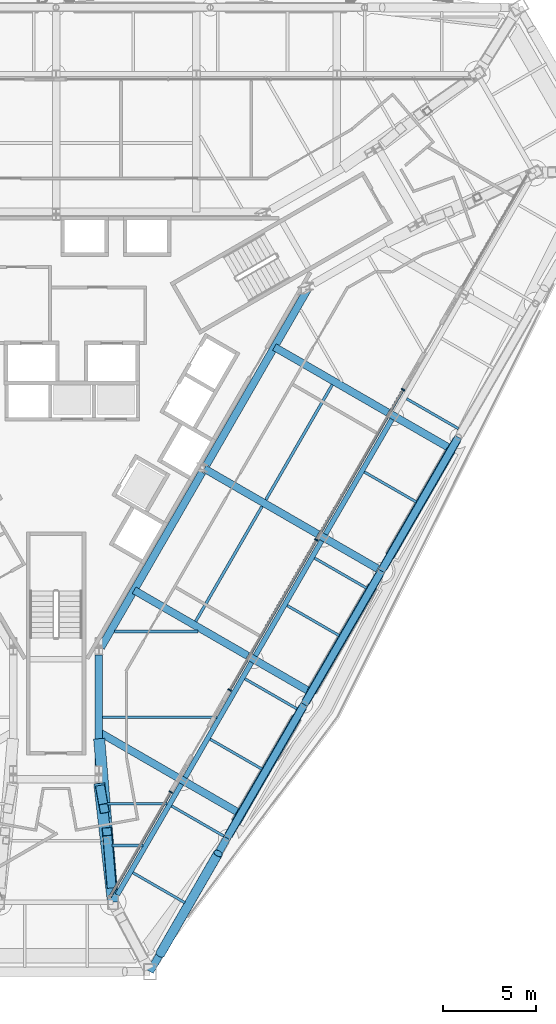
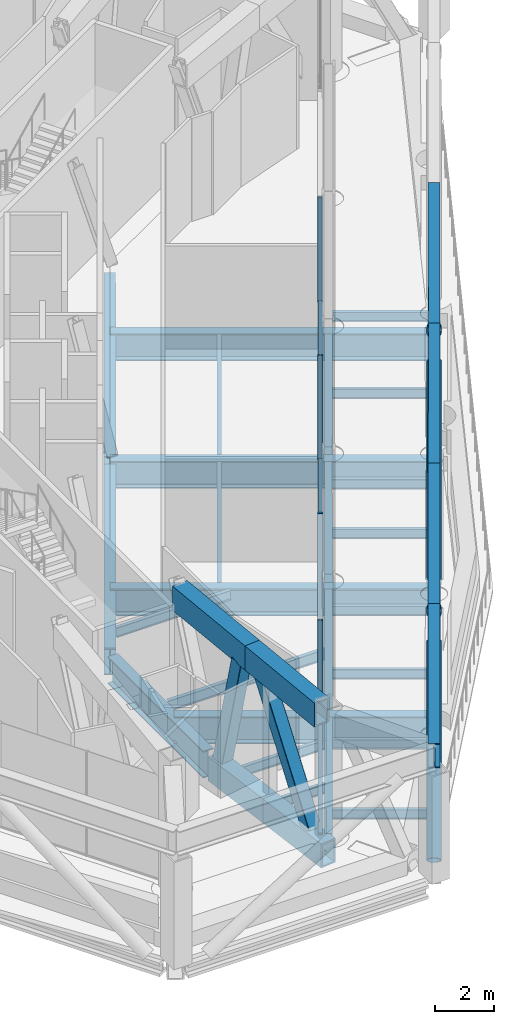
# One storey, part 8 of 25: 36 beams, 13 members, 2 elements without a shape of their own.
"""IFC4 building model written with IfcOpenShell, lengths in metres."""

import ifcopenshell
import ifcopenshell.guid

model = None  # the IFC model being written
_history = None  # IfcOwnerHistory: only IFC2X3 demands one
_inside = {}  # id of a spatial element -> (the spatial element, [elements in it])
_under = {}  # id of a project, library or spatial element -> (it, [spatial elements below it])
_declared = {}  # id of a project -> (the project, [libraries it declares])
_typed = {}  # id of a type object -> (the type object, [elements of that type])
_made_of = {}  # id of a material, layer set ... -> (it, [elements and type objects made of it])


def new_model(schema):
    """Start an empty IFC model of exactly this schema.

    Asked for "IFC4X3", IfcOpenShell would pick the latest addendum, in which some entities
    have other attributes; the version numbers below select the first issue.
    IFC2X3 requires an IfcOwnerHistory on every rooted entity: one is made here for all.
    """
    global model, _history
    if schema == "IFC4X3":
        model = ifcopenshell.file(schema_version=(4, 3, 0, 0))
    else:
        model = ifcopenshell.file(schema=schema)
    _inside.clear()
    _under.clear()
    _declared.clear()
    _typed.clear()
    _made_of.clear()
    _history = None
    if model.schema == "IFC2X3":
        org = make("IfcOrganization", Name="unknown")
        user = make(
            "IfcPersonAndOrganization",
            ThePerson=make("IfcPerson", FamilyName="unknown"),
            TheOrganization=org,
        )
        app = make(
            "IfcApplication",
            ApplicationDeveloper=org,
            Version="unknown",
            ApplicationFullName="unknown",
            ApplicationIdentifier="unknown",
        )
        _history = make(
            "IfcOwnerHistory",
            OwningUser=user,
            OwningApplication=app,
            ChangeAction="ADDED",
            CreationDate=0,
        )
    return model


def make(cls, **values):
    """One entity of the class cls with the attributes given. An attribute that is None is left unset."""
    return model.create_entity(
        cls, **{name: value for name, value in values.items() if value is not None}
    )


def rooted(cls, **values):
    """An entity with a GlobalId (a new one), such as an element, a storey or a relation."""
    return make(cls, GlobalId=ifcopenshell.guid.new(), OwnerHistory=_history, **values)


def si_unit(unit_type, name, prefix=None):
    """IfcSIUnit, for example si_unit("LENGTHUNIT", "METRE", prefix="MILLI")."""
    return make("IfcSIUnit", UnitType=unit_type, Prefix=prefix, Name=name)


def assignment(units):
    """IfcUnitAssignment: the units of a project."""
    return None if units is None else make("IfcUnitAssignment", Units=units)


def point(xyz):
    """IfcCartesianPoint."""
    return None if xyz is None else make("IfcCartesianPoint", Coordinates=xyz)


def direction(xyz):
    """IfcDirection."""
    return None if xyz is None else make("IfcDirection", DirectionRatios=xyz)


def frame(location, z_axis=None, x_axis=None):
    """IfcAxis2Placement3D, a coordinate frame: its origin and axes. An axis left out is left unset."""
    return make(
        "IfcAxis2Placement3D",
        Location=point(location),
        Axis=direction(z_axis),
        RefDirection=direction(x_axis),
    )


def frame_2d(location, x_axis=None):
    """IfcAxis2Placement2D, a coordinate frame in the plane: its origin and x axis."""
    return make(
        "IfcAxis2Placement2D", Location=point(location), RefDirection=direction(x_axis)
    )


def origin():
    """The frame at (0, 0, 0) with its axes left unset."""
    return frame((0.0, 0.0, 0.0))


def origin_2d():
    """The frame at (0, 0) in the plane with its x axis left unset."""
    return frame_2d((0.0, 0.0))


def place(relative_to, where):
    """IfcLocalPlacement: puts the frame where relative to a parent placement (None: the world)."""
    return make(
        "IfcLocalPlacement", PlacementRelTo=relative_to, RelativePlacement=where
    )


def context(
    kind, dimensions, precision=None, world=None, true_north=None, identifier=None
):
    """IfcGeometricRepresentationContext, for example the 3D "Model" context."""
    return make(
        "IfcGeometricRepresentationContext",
        ContextIdentifier=identifier,
        ContextType=kind,
        CoordinateSpaceDimension=dimensions,
        Precision=precision,
        WorldCoordinateSystem=world,
        TrueNorth=true_north,
    )


def subcontext(parent, identifier, kind, view, scale=None):
    """IfcGeometricRepresentationSubContext, for example "Body" below "Model"."""
    return make(
        "IfcGeometricRepresentationSubContext",
        ContextIdentifier=identifier,
        ContextType=kind,
        ParentContext=parent,
        TargetScale=scale,
        TargetView=view,
    )


def project(units=None, contexts=None):
    """IfcProject with its units and contexts."""
    return rooted(
        "IfcProject",
        Name="project",
        RepresentationContexts=contexts,
        UnitsInContext=assignment(units),
    )


def spatial(cls, under=None, at=None, **own):
    """A site, building, storey or space (cls), placed at a placement, below another one or the project."""
    s = rooted(cls, ObjectPlacement=at, **own)
    if under is not None:
        _under.setdefault(under.id(), (under, []))[1].append(s)
    return s


def profile(cls, at=None, kind="AREA", **sizes):
    """A parametric profile (cls). Its sizes go by their IFC names, for example OverallWidth=200.0."""
    return make(cls, ProfileType=kind, Position=at, **sizes)


def rectangle(**sizes):
    """IfcRectangleProfileDef."""
    return profile("IfcRectangleProfileDef", **sizes)


def hollow_rectangle(**sizes):
    """IfcRectangleHollowProfileDef."""
    return profile("IfcRectangleHollowProfileDef", **sizes)


def hollow_circle(**sizes):
    """IfcCircleHollowProfileDef."""
    return profile("IfcCircleHollowProfileDef", **sizes)


def i_section(**sizes):
    """IfcIShapeProfileDef."""
    return profile("IfcIShapeProfileDef", **sizes)


def extrude(swept, where, along, depth):
    """IfcExtrudedAreaSolid: the profile swept, set in the frame where, extruded along a direction by depth."""
    return make(
        "IfcExtrudedAreaSolid",
        SweptArea=swept,
        Position=where,
        ExtrudedDirection=direction(along),
        Depth=depth,
    )


def shape(context_of_items, identifier, shape_type, items):
    """IfcShapeRepresentation: the items that make up one representation, for example the "Body"."""
    return make(
        "IfcShapeRepresentation",
        ContextOfItems=context_of_items,
        RepresentationIdentifier=identifier,
        RepresentationType=shape_type,
        Items=items,
    )


def material(Name=None, Category=None):
    """IfcMaterial."""
    return make("IfcMaterial", Name=Name, Category=Category)


def material_profile(
    of_material, cross_section, Name=None, Category=None, Priority=None
):
    """IfcMaterialProfile: a cross section and its material."""
    return make(
        "IfcMaterialProfile",
        Name=Name,
        Material=of_material,
        Profile=cross_section,
        Priority=Priority,
        Category=Category,
    )


def profile_set(profiles, Name=None, composite=None):
    """IfcMaterialProfileSet."""
    return make(
        "IfcMaterialProfileSet",
        Name=Name,
        MaterialProfiles=profiles,
        CompositeProfile=composite,
    )


def made_of(thing, what):
    """Note that an element or type object is made of a material, layer set ...; save() writes the relation."""
    if what is not None:
        _made_of.setdefault(what.id(), (what, []))[1].append(thing)
    return thing


def type_object(cls, material=None, **own):
    """A type object (cls), such as IfcWallType, which elements share."""
    return made_of(rooted(cls, **own), material)


def element(
    cls,
    number,
    at=None,
    inside=None,
    cuts=None,
    type_object=None,
    material=None,
    context=None,
    identifier="Body",
    shape_type=None,
    held_by="IfcProductDefinitionShape",
    body=None,
    shapes=None,
    **own,
):
    """One element of the class cls, such as IfcWall. Its Tag is "e" and its number.

    at: its placement. inside: the storey or other place that contains it. cuts: it is an
    opening in that element (IfcRelVoidsElement). A single representation is given by context,
    identifier, shape_type and body (its items); several are given by shapes. held_by: the class
    of the entity that holds the representations. save() writes the other relations.
    """
    e = rooted(cls, Tag="e%d" % number, ObjectPlacement=at, **own)
    if body is not None:
        shapes = [shape(context, identifier, shape_type, body)]
    if shapes is not None:
        e.Representation = make(held_by, Representations=shapes)
    if inside is not None:
        _inside.setdefault(inside.id(), (inside, []))[1].append(e)
    if cuts is not None:
        rooted(
            "IfcRelVoidsElement", RelatingBuildingElement=cuts, RelatedOpeningElement=e
        )
    if type_object is not None:
        _typed.setdefault(type_object.id(), (type_object, []))[1].append(e)
    return made_of(e, material)


def aggregate(whole, parts):
    """IfcRelAggregates: a whole, such as a stair, and the parts it consists of."""
    return rooted("IfcRelAggregates", RelatingObject=whole, RelatedObjects=parts)


def save(model, path):
    """Write the relations noted so far, then the file.

    IfcRelAggregates (storeys below a building ...), IfcRelContainedInSpatialStructure (elements
    in a storey), IfcRelDefinesByType, IfcRelAssociatesMaterial and IfcRelDeclares: one each for
    every whole, place, type object, material and project.
    """
    for whole, parts in _under.values():
        aggregate(whole, parts)
    for where, things in _inside.values():
        rooted(
            "IfcRelContainedInSpatialStructure",
            RelatedElements=things,
            RelatingStructure=where,
        )
    for kind, things in _typed.values():
        rooted("IfcRelDefinesByType", RelatedObjects=things, RelatingType=kind)
    for what, things in _made_of.values():
        rooted("IfcRelAssociatesMaterial", RelatedObjects=things, RelatingMaterial=what)
    for by, libraries in _declared.values():
        rooted("IfcRelDeclares", RelatingContext=by, RelatedDefinitions=libraries)
    model.write(path)


model = new_model("IFC4")

# Units and contexts
model_context = context("Model", 3, precision=1e-05, world=origin(), true_north=direction((0.0, 1.0)))
body_context = subcontext(model_context, "Body", "Model", "MODEL_VIEW")
ifc_project = project(units=[si_unit("LENGTHUNIT", "METRE"), si_unit("AREAUNIT", "SQUARE_METRE"), si_unit("VOLUMEUNIT", "CUBIC_METRE"), si_unit("PLANEANGLEUNIT", "RADIAN"), si_unit("MASSUNIT", "GRAM", prefix="KILO")], contexts=[model_context])

# Site, building, storey
site_placement = place(None, origin())
site = spatial("IfcSite", under=ifc_project, at=site_placement, CompositionType="ELEMENT")
building_placement = place(site_placement, origin())
building = spatial("IfcBuilding", under=site, at=building_placement, Name="Verrane Prism Tower", CompositionType="ELEMENT")
storey_placement = place(building_placement, frame((0.0, 0.0, 143.199951171875)))
storey = spatial("IfcBuildingStorey", under=building, at=storey_placement, Name="L35", CompositionType="ELEMENT", Elevation=143.199951171875)

# Beams
ifc_material_1 = material(Name="Steel A992", Category="steel")
ifc_material_profile_1 = material_profile(ifc_material_1, i_section(OverallWidth=0.45458984375, OverallDepth=0.56884765625, WebThickness=0.077880859375, FlangeThickness=0.124755859375, FilletRadius=0.01513671875, at=origin_2d()), Name="W14x730")
ifc_profile_set_1 = profile_set([ifc_material_profile_1], Name="Steel A992")
beam_type_1 = type_object("IfcBeamType", Name="Belt truss chord W14x730", PredefinedType="BEAM", material=ifc_profile_set_1)
beam_1_placement = place(storey_placement, frame((9.271240234375, -24.3193359375, -0.445556640625), z_axis=(0.50043226125, 0.865775693757, 0.0), x_axis=(-0.865775693757, 0.50043226125, 0.0)))
element("IfcBeam", 1, at=beam_1_placement, inside=storey, type_object=beam_type_1, Name="Belt truss chord L35", PredefinedType="BEAM", context=body_context, shape_type="SweptSolid", body=[
    extrude(i_section(OverallWidth=0.45458984375, OverallDepth=0.56884765625, WebThickness=0.077880859375, FlangeThickness=0.124755859375, FilletRadius=0.01513671875, at=origin_2d()), origin(), (0.0, 0.0, 1.0), 7.96826171875),
])
beam_2_placement = place(storey_placement, frame((13.42138671875, -17.139404296875, -0.445556640625), z_axis=(0.50040929447, 0.865788968518, 0.0), x_axis=(-0.865788968518, 0.50040929447, 0.0)))
element("IfcBeam", 2, at=beam_2_placement, inside=storey, type_object=beam_type_1, Name="Belt truss chord L35", PredefinedType="BEAM", context=body_context, shape_type="SweptSolid", body=[
    extrude(i_section(OverallWidth=0.45458984375, OverallDepth=0.56884765625, WebThickness=0.077880859375, FlangeThickness=0.124755859375, FilletRadius=0.01513671875, at=origin_2d()), origin(), (0.0, 0.0, 1.0), 7.968017578125),
])
beam_3_placement = place(storey_placement, frame((17.571044921875, -9.958984375, -0.445556640625), z_axis=(0.49899581019, 0.866604397296, 0.0), x_axis=(-0.866604397296, 0.49899581019, 0.0)))
element("IfcBeam", 3, at=beam_3_placement, inside=storey, type_object=beam_type_1, Name="Belt truss chord L35", PredefinedType="BEAM", context=body_context, shape_type="SweptSolid", body=[
    extrude(i_section(OverallWidth=0.45458984375, OverallDepth=0.56884765625, WebThickness=0.077880859375, FlangeThickness=0.124755859375, FilletRadius=0.01513671875, at=origin_2d()), origin(), (0.0, 0.0, 1.0), 7.9716796875),
])
ifc_material_2 = material(Name="Steel A992", Category="steel")
ifc_material_profile_2 = material_profile(ifc_material_2, i_section(OverallWidth=0.4013671875, OverallDepth=1.000732421875, WebThickness=0.01904296875, FlangeThickness=0.0361328125, FilletRadius=0.030029296875, at=origin_2d()), Name="W40x249")
ifc_profile_set_2 = profile_set([ifc_material_profile_2], Name="Steel A992")
beam_type_2 = type_object("IfcBeamType", Name="Belt truss chord W40x249", PredefinedType="BEAM", material=ifc_profile_set_2)
beam_4_placement = place(storey_placement, frame((5.050048828125, -31.639892578125, 4.939697265625), z_axis=(0.499507376936, 0.866309633091, 0.0), x_axis=(-0.866309633091, 0.499507376936, 0.0)))
element("IfcBeam", 4, at=beam_4_placement, inside=storey, type_object=beam_type_2, Name="Belt truss chord L35", PredefinedType="BEAM", context=body_context, shape_type="SweptSolid", body=[
    extrude(i_section(OverallWidth=0.4013671875, OverallDepth=1.000732421875, WebThickness=0.01904296875, FlangeThickness=0.0361328125, FilletRadius=0.030029296875, at=origin_2d()), origin(), (0.0, 0.0, 1.0), 8.287841796875),
])
for number, where, z_axis, x_axis, name in (
    (5, (9.18994140625, -24.4599609375, 4.939697265625), (0.500435030405, 0.865774093135, 0.0), (-0.865774093135, 0.500435030405, 0.0), "Belt truss chord L35"),
    (6, (13.340087890625, -17.280029296875, 4.939697265625), (0.500412963415, 0.865786847928, 0.0), (-0.865786847928, 0.500412963415, 0.0), "Belt truss chord L35"),
):
    element("IfcBeam", number, at=place(storey_placement, frame(where, z_axis=z_axis, x_axis=x_axis)), inside=storey, type_object=beam_type_2, Name=name, PredefinedType="BEAM", context=body_context, shape_type="SweptSolid", body=[
        extrude(i_section(OverallWidth=0.4013671875, OverallDepth=1.000732421875, WebThickness=0.01904296875, FlangeThickness=0.0361328125, FilletRadius=0.030029296875, at=origin_2d()), origin(), (0.0, 0.0, 1.0), 8.29296875),
    ])
beam_5_placement = place(storey_placement, frame((17.489990234375, -10.10009765625, 4.939697265625), z_axis=(0.49897248112, 0.866617829891, 0.0), x_axis=(-0.866617829891, 0.49897248112, 0.0)))
element("IfcBeam", 7, at=beam_5_placement, inside=storey, type_object=beam_type_2, Name="Belt truss chord L35", PredefinedType="BEAM", context=body_context, shape_type="SweptSolid", body=[
    extrude(i_section(OverallWidth=0.4013671875, OverallDepth=1.000732421875, WebThickness=0.01904296875, FlangeThickness=0.0361328125, FilletRadius=0.030029296875, at=origin_2d()), origin(), (0.0, 0.0, 1.0), 8.296875),
])

# Members
ifc_material_3 = material(Name="Steel A500 Grade C", Category="steel")
ifc_material_profile_3 = material_profile(ifc_material_3, hollow_circle(Radius=0.25390625, WallThickness=0.0126953125, at=origin_2d()), Name="HSS20.000x0.500")
ifc_profile_set_3 = profile_set([ifc_material_profile_3], Name="Steel A500 Grade C")
member_type_1 = type_object("IfcMemberType", Name="Belt truss diagonal HSS20.000x0.500", PredefinedType="BRACE", material=ifc_profile_set_3)
member_1_placement = place(storey_placement, frame((5.599609375, -30.6865234375, -0.160888671875), z_axis=(0.398552898475, 0.69121040119, 0.602813211869), x_axis=(-0.866306176798, 0.499513371234, 0.0)))
element("IfcMember", 8, at=member_1_placement, inside=storey, type_object=member_type_1, Name="Belt truss diagonal L35", PredefinedType="BRACE", context=body_context, shape_type="SweptSolid", body=[
    extrude(hollow_circle(Radius=0.25390625, WallThickness=0.0126953125, at=origin_2d()), origin(), (0.0, 0.0, 1.0), 7.813232421875),
])
for number, where, z_axis, x_axis, name in (
    (9, (12.92529296875, -17.997314453125, -0.160888671875), (-0.404989270182, -0.700708769601, 0.587359269309), (0.865792640311, -0.500402941621, 0.0), "Belt truss diagonal L35"),
    (10, (13.754638671875, -16.562744140625, -0.160888671875), (0.404989270182, 0.700708769601, 0.587359269309), (-0.865792640311, 0.500402941621, 0.0), "Belt truss diagonal L35"),
):
    element("IfcMember", number, at=place(storey_placement, frame(where, z_axis=z_axis, x_axis=x_axis)), inside=storey, type_object=member_type_1, Name=name, PredefinedType="BRACE", context=body_context, shape_type="SweptSolid", body=[
        extrude(hollow_circle(Radius=0.25390625, WallThickness=0.0126953125, at=origin_2d()), origin(), (0.0, 0.0, 1.0), 8.018798828125),
    ])
member_2_placement = place(storey_placement, frame((21.216552734375, -3.628173828125, -0.160888671875), z_axis=(-0.403915120601, -0.701487129803, 0.587169806845), x_axis=(0.866607183047, -0.498990972154, 0.0)))
element("IfcMember", 11, at=member_2_placement, inside=storey, type_object=member_type_1, Name="Belt truss diagonal L35", PredefinedType="BRACE", context=body_context, shape_type="SweptSolid", body=[
    extrude(hollow_circle(Radius=0.25390625, WallThickness=0.0126953125, at=origin_2d()), origin(), (0.0, 0.0, 1.0), 8.021484375),
])

# Beams
ifc_material_4 = material(Name="Steel A992", Category="steel")
ifc_material_profile_4 = material_profile(ifc_material_4, i_section(OverallWidth=0.140380859375, OverallDepth=0.40380859375, WebThickness=0.007080078125, FlangeThickness=0.01123046875, FilletRadius=0.01025390625, at=origin_2d()), Name="W16x31")
ifc_profile_set_4 = profile_set([ifc_material_profile_4], Name="Steel A992")
beam_type_3 = type_object("IfcBeamType", Name="Floor beam W16x31", PredefinedType="BEAM", material=ifc_profile_set_4)
beam_6_placement = place(storey_placement, frame((21.631591796875, -2.452392578125, -0.36181640625), z_axis=(-0.866028773314, 0.499994163758, 0.0), x_axis=(-0.499994163758, -0.866028773314, 0.0)))
element("IfcBeam", 12, at=beam_6_placement, inside=storey, type_object=beam_type_3, Name="Floor beam L35", PredefinedType="BEAM", context=body_context, shape_type="SweptSolid", body=[
    extrude(i_section(OverallWidth=0.140380859375, OverallDepth=0.40380859375, WebThickness=0.007080078125, FlangeThickness=0.01123046875, FilletRadius=0.01025390625, at=origin_2d()), origin(), (0.0, 0.0, 1.0), 3.21484375),
])
beam_7_placement = place(storey_placement, frame((19.36279296875, -6.3916015625, -0.36181640625), z_axis=(-0.866034203951, 0.499984757355, 0.0), x_axis=(-0.499984757355, -0.866034203951, 0.0)))
element("IfcBeam", 13, at=beam_7_placement, inside=storey, type_object=beam_type_3, Name="Floor beam L35", PredefinedType="BEAM", context=body_context, shape_type="SweptSolid", body=[
    extrude(i_section(OverallWidth=0.140380859375, OverallDepth=0.40380859375, WebThickness=0.007080078125, FlangeThickness=0.01123046875, FilletRadius=0.01025390625, at=origin_2d()), origin(), (0.0, 0.0, 1.0), 3.22265625),
])
beam_8_placement = place(storey_placement, frame((16.693359375, -11.023681640625, -0.36181640625), z_axis=(-0.86602577794, 0.499999351944, 0.0), x_axis=(-0.499999351944, -0.86602577794, 0.0)))
element("IfcBeam", 14, at=beam_8_placement, inside=storey, type_object=beam_type_3, Name="Floor beam L35", PredefinedType="BEAM", context=body_context, shape_type="SweptSolid", body=[
    extrude(i_section(OverallWidth=0.140380859375, OverallDepth=0.40380859375, WebThickness=0.007080078125, FlangeThickness=0.01123046875, FilletRadius=0.01025390625, at=origin_2d()), origin(), (0.0, 0.0, 1.0), 3.23095703125),
])
beam_9_placement = place(storey_placement, frame((15.21923828125, -13.57421875, -0.36181640625), z_axis=(-0.866028129956, 0.499995278103, 0.0), x_axis=(-0.499995278103, -0.866028129956, 0.0)))
element("IfcBeam", 15, at=beam_9_placement, inside=storey, type_object=beam_type_3, Name="Floor beam L35", PredefinedType="BEAM", context=body_context, shape_type="SweptSolid", body=[
    extrude(i_section(OverallWidth=0.140380859375, OverallDepth=0.40380859375, WebThickness=0.007080078125, FlangeThickness=0.01123046875, FilletRadius=0.01025390625, at=origin_2d()), origin(), (0.0, 0.0, 1.0), 3.2275390625),
])
beam_10_placement = place(storey_placement, frame((12.9443359375, -17.510009765625, -0.36181640625), z_axis=(-0.866029130051, 0.499993545862, 0.0), x_axis=(-0.499993545862, -0.866029130051, 0.0)))
element("IfcBeam", 16, at=beam_10_placement, inside=storey, type_object=beam_type_3, Name="Floor beam L35", PredefinedType="BEAM", context=body_context, shape_type="SweptSolid", body=[
    extrude(i_section(OverallWidth=0.140380859375, OverallDepth=0.40380859375, WebThickness=0.007080078125, FlangeThickness=0.01123046875, FilletRadius=0.01025390625, at=origin_2d()), origin(), (0.0, 0.0, 1.0), 3.22216796875),
])
beam_11_placement = place(storey_placement, frame((11.069580078125, -20.75341796875, -0.36181640625), z_axis=(-0.865988473761, 0.500063959222, 0.0), x_axis=(-0.500063959222, -0.865988473761, 0.0)))
element("IfcBeam", 17, at=beam_11_placement, inside=storey, type_object=beam_type_3, Name="Floor beam L35", PredefinedType="BEAM", context=body_context, shape_type="SweptSolid", body=[
    extrude(i_section(OverallWidth=0.140380859375, OverallDepth=0.40380859375, WebThickness=0.007080078125, FlangeThickness=0.01123046875, FilletRadius=0.01025390625, at=origin_2d()), origin(), (0.0, 0.0, 1.0), 3.2177734375),
])
beam_12_placement = place(storey_placement, frame((9.018310546875, -24.356201171875, -0.36181640625), z_axis=(-0.866033884568, 0.499985310564, 0.0), x_axis=(-0.499985310564, -0.866033884568, 0.0)))
element("IfcBeam", 18, at=beam_12_placement, inside=storey, type_object=beam_type_3, Name="Floor beam L35", PredefinedType="BEAM", context=body_context, shape_type="SweptSolid", body=[
    extrude(i_section(OverallWidth=0.140380859375, OverallDepth=0.40380859375, WebThickness=0.007080078125, FlangeThickness=0.01123046875, FilletRadius=0.01025390625, at=origin_2d()), origin(), (0.0, 0.0, 1.0), 3.24267578125),
])
beam_13_placement = place(storey_placement, frame((6.924072265625, -27.9345703125, -0.36181640625), z_axis=(-0.866020340389, 0.500008769956, 0.0), x_axis=(-0.500008769956, -0.866020340389, 0.0)))
element("IfcBeam", 19, at=beam_13_placement, inside=storey, type_object=beam_type_3, Name="Floor beam L35", PredefinedType="BEAM", context=body_context, shape_type="SweptSolid", body=[
    extrude(i_section(OverallWidth=0.140380859375, OverallDepth=0.40380859375, WebThickness=0.007080078125, FlangeThickness=0.01123046875, FilletRadius=0.01025390625, at=origin_2d()), origin(), (0.0, 0.0, 1.0), 3.22314453125),
])
beam_14_placement = place(storey_placement, frame((3.01123046875, -24.860107421875, -0.36181640625), z_axis=(1.0, 0.0, 0.0), x_axis=(0.0, 1.0, 0.0)))
element("IfcBeam", 20, at=beam_14_placement, inside=storey, type_object=beam_type_3, Name="Floor beam L35", PredefinedType="BEAM", context=body_context, shape_type="SweptSolid", body=[
    extrude(i_section(OverallWidth=0.140380859375, OverallDepth=0.40380859375, WebThickness=0.007080078125, FlangeThickness=0.01123046875, FilletRadius=0.01025390625, at=origin_2d()), origin(), (0.0, 0.0, 1.0), 1.66015625),
])
beam_15_placement = place(storey_placement, frame((2.752685546875, -22.610107421875, -0.36181640625), z_axis=(1.0, 0.0, 0.0), x_axis=(0.0, 1.0, 0.0)))
element("IfcBeam", 21, at=beam_15_placement, inside=storey, type_object=beam_type_3, Name="Floor beam L35", PredefinedType="BEAM", context=body_context, shape_type="SweptSolid", body=[
    extrude(i_section(OverallWidth=0.140380859375, OverallDepth=0.40380859375, WebThickness=0.007080078125, FlangeThickness=0.01123046875, FilletRadius=0.01025390625, at=origin_2d()), origin(), (0.0, 0.0, 1.0), 3.220947265625),
])
beam_16_placement = place(storey_placement, frame((3.151123046875, -13.353271484375, -0.36181640625), z_axis=(1.0, 0.0, 0.0), x_axis=(0.0, 1.0, 0.0)))
element("IfcBeam", 22, at=beam_16_placement, inside=storey, type_object=beam_type_3, Name="Floor beam L35", PredefinedType="BEAM", context=body_context, shape_type="SweptSolid", body=[
    extrude(i_section(OverallWidth=0.140380859375, OverallDepth=0.40380859375, WebThickness=0.007080078125, FlangeThickness=0.01123046875, FilletRadius=0.01025390625, at=origin_2d()), origin(), (0.0, 0.0, 1.0), 4.4794921875),
])
ifc_material_5 = material(Name="Steel A992", Category="steel")
ifc_material_profile_5 = material_profile(ifc_material_5, i_section(OverallWidth=0.15234375, OverallDepth=0.449462890625, WebThickness=0.007568359375, FlangeThickness=0.0107421875, FilletRadius=0.01025390625, at=origin_2d()), Name="W18x35")
ifc_profile_set_5 = profile_set([ifc_material_profile_5], Name="Steel A992")
beam_type_4 = type_object("IfcBeamType", Name="Floor beam W18x35", PredefinedType="BEAM", material=ifc_profile_set_5)
beam_17_placement = place(storey_placement, frame((2.501953125, -17.966796875, -0.384765625), z_axis=(1.0, 0.0, 0.0), x_axis=(0.0, 1.0, 0.0)))
element("IfcBeam", 23, at=beam_17_placement, inside=storey, type_object=beam_type_4, Name="Floor beam L35", PredefinedType="BEAM", context=body_context, shape_type="SweptSolid", body=[
    extrude(i_section(OverallWidth=0.15234375, OverallDepth=0.449462890625, WebThickness=0.007568359375, FlangeThickness=0.0107421875, FilletRadius=0.01025390625, at=origin_2d()), origin(), (0.0, 0.0, 1.0), 6.151611328125),
])
beam_18_placement = place(storey_placement, frame((7.50390625, -12.813720703125, -0.384765625), z_axis=(0.499990639951, 0.866030807744, 0.0), x_axis=(-0.866030807744, 0.499990639951, 0.0)))
element("IfcBeam", 24, at=beam_18_placement, inside=storey, type_object=beam_type_4, Name="Floor beam L35", PredefinedType="BEAM", context=body_context, shape_type="SweptSolid", body=[
    extrude(i_section(OverallWidth=0.15234375, OverallDepth=0.449462890625, WebThickness=0.007568359375, FlangeThickness=0.0107421875, FilletRadius=0.01025390625, at=origin_2d()), origin(), (0.0, 0.0, 1.0), 7.144775390625),
])
beam_19_placement = place(storey_placement, frame((11.277587890625, -6.27587890625, -0.384765625), z_axis=(0.500002534683, 0.866023940379, 0.0), x_axis=(-0.866023940379, 0.500002534683, 0.0)))
element("IfcBeam", 25, at=beam_19_placement, inside=storey, type_object=beam_type_4, Name="Floor beam L35", PredefinedType="BEAM", context=body_context, shape_type="SweptSolid", body=[
    extrude(i_section(OverallWidth=0.15234375, OverallDepth=0.449462890625, WebThickness=0.007568359375, FlangeThickness=0.0107421875, FilletRadius=0.01025390625, at=origin_2d()), origin(), (0.0, 0.0, 1.0), 7.14306640625),
])

# Curtain wall, member
ifc_material_6 = material(Name="Aluminium framed insulated glazing", Category="aluminium")
curtain_wall_type = type_object("IfcCurtainWallType", Name="Curtain wall CW-A 8400 module", PredefinedType="NOTDEFINED", material=ifc_material_6)
curtain_wall_1_placement = place(storey_placement, origin())
curtain_wall_1 = element("IfcCurtainWall", 26, at=curtain_wall_1_placement, inside=storey, type_object=curtain_wall_type, Name="Refuge lounge glazing south-east face L35 1", PredefinedType="NOTDEFINED")
ifc_material_7 = material(Name="Aluminium alloy 6063-T6", Category="aluminium")
ifc_material_profile_6 = material_profile(ifc_material_7, rectangle(XDim=0.199951171875, YDim=0.070068359375, at=origin_2d()), Name="Mullion 70x200 aluminium")
ifc_profile_set_6 = profile_set([ifc_material_profile_6], Name="Aluminium alloy 6063-T6")
member_type_2 = type_object("IfcMemberType", Name="Mullion 70x200 aluminium", PredefinedType="MULLION", material=ifc_profile_set_6)
member_3_placement = place(storey_placement, frame((6.164794921875, -21.984130859375, 0.0), z_axis=(0.0, 0.0, 1.0), x_axis=(-0.866024286859, 0.500001934567, 0.0)))
member_3 = element("IfcMember", 27, at=member_3_placement, type_object=member_type_2, Name="CW35.6.1 mullion 2", PredefinedType="MULLION", context=body_context, shape_type="SweptSolid", body=[
    extrude(rectangle(XDim=0.199951171875, YDim=0.070068359375, at=origin_2d()), origin(), (0.0, 0.0, 1.0), 4.322509765625),
])

# Curtain wall, members
curtain_wall_2_placement = place(storey_placement, origin())
curtain_wall_2 = element("IfcCurtainWall", 28, at=curtain_wall_2_placement, inside=storey, type_object=curtain_wall_type, Name="Refuge lounge glazing south-east face L35 2", PredefinedType="NOTDEFINED")
member_4_placement = place(storey_placement, frame((9.329833984375, -16.502197265625, 0.0), z_axis=(0.0, 0.0, 1.0), x_axis=(-0.866024625663, 0.500001347743, 0.0)))
member_4 = element("IfcMember", 29, at=member_4_placement, type_object=member_type_2, Name="CW35.6.2 mullion 1", PredefinedType="MULLION", context=body_context, shape_type="SweptSolid", body=[
    extrude(rectangle(XDim=0.199951171875, YDim=0.070068359375, at=origin_2d()), origin(), (0.0, 0.0, 1.0), 4.322509765625),
])
member_5_placement = place(storey_placement, frame((13.9912109375, -8.428466796875, 0.0), z_axis=(0.0, 0.0, 1.0), x_axis=(-0.866024625663, 0.500001347743, 0.0)))
member_5 = element("IfcMember", 30, at=member_5_placement, type_object=member_type_2, Name="CW35.6.2 mullion 2", PredefinedType="MULLION", context=body_context, shape_type="SweptSolid", body=[
    extrude(rectangle(XDim=0.199951171875, YDim=0.070068359375, at=origin_2d()), origin(), (0.0, 0.0, 1.0), 4.322509765625),
])
member_6_placement = place(storey_placement, frame((18.652587890625, -0.3544921875, 0.0), z_axis=(0.0, 0.0, 1.0), x_axis=(-0.866024625663, 0.500001347743, 0.0)))
member_6 = element("IfcMember", 31, at=member_6_placement, type_object=member_type_2, Name="CW35.6.2 mullion 3", PredefinedType="MULLION", context=body_context, shape_type="SweptSolid", body=[
    extrude(rectangle(XDim=0.199951171875, YDim=0.070068359375, at=origin_2d()), origin(), (0.0, 0.0, 1.0), 4.322509765625),
])

# Beams
ifc_material_8 = material(Name="Steel A572 Grade 50", Category="steel")
ifc_material_profile_7 = material_profile(ifc_material_8, hollow_rectangle(XDim=0.60009765625, YDim=1.0, WallThickness=0.06005859375, at=origin_2d()), Name="BOX 1000x600x60")
ifc_profile_set_7 = profile_set([ifc_material_profile_7], Name="Steel A572 Grade 50")
beam_type_5 = type_object("IfcBeamType", Name="Outrigger truss chord BOX 1000x600x60", PredefinedType="BEAM", material=ifc_profile_set_7)
beam_20_placement = place(storey_placement, frame((3.06005859375, -27.909912109375, -0.659912109375), z_axis=(-0.11426476822, 0.993450332298, 0.0), x_axis=(-0.993450332298, -0.11426476822, 0.0)))
element("IfcBeam", 32, at=beam_20_placement, inside=storey, type_object=beam_type_5, Name="Outrigger truss chord L35", PredefinedType="BEAM", context=body_context, shape_type="SweptSolid", body=[
    extrude(hollow_rectangle(XDim=0.60009765625, YDim=1.0, WallThickness=0.06005859375, at=origin_2d()), origin(), (0.0, 0.0, 1.0), 3.32666015625),
])
beam_21_placement = place(storey_placement, frame((2.679931640625, -24.60498046875, -0.659912109375), z_axis=(-0.114206711719, 0.993457008128, 0.0), x_axis=(-0.993457008128, -0.114206711719, 0.0)))
element("IfcBeam", 33, at=beam_21_placement, inside=storey, type_object=beam_type_5, Name="Outrigger truss chord L35", PredefinedType="BEAM", context=body_context, shape_type="SweptSolid", body=[
    extrude(hollow_rectangle(XDim=0.60009765625, YDim=1.0, WallThickness=0.06005859375, at=origin_2d()), origin(), (0.0, 0.0, 1.0), 3.108154296875),
])
beam_22_placement = place(storey_placement, frame((3.0263671875, -27.510009765625, 4.93994140625), z_axis=(-0.084095012133, 0.996457740667, 0.0), x_axis=(-0.996457740667, -0.084095012133, 0.0)))
element("IfcBeam", 34, at=beam_22_placement, inside=storey, type_object=beam_type_5, Name="Outrigger truss chord L35", PredefinedType="BEAM", context=body_context, shape_type="SweptSolid", body=[
    extrude(hollow_rectangle(XDim=0.60009765625, YDim=1.0, WallThickness=0.06005859375, at=origin_2d()), origin(), (0.0, 0.0, 1.0), 4.11962890625),
])
beam_23_placement = place(storey_placement, frame((2.679931640625, -23.405029296875, 4.93994140625), z_axis=(-0.084026785736, 0.99646349621, 0.0), x_axis=(-0.99646349621, -0.084026785736, 0.0)))
element("IfcBeam", 35, at=beam_23_placement, inside=storey, type_object=beam_type_5, Name="Outrigger truss chord L35", PredefinedType="BEAM", context=body_context, shape_type="SweptSolid", body=[
    extrude(hollow_rectangle(XDim=0.60009765625, YDim=1.0, WallThickness=0.06005859375, at=origin_2d()), origin(), (0.0, 0.0, 1.0), 4.302978515625),
])

# Members
ifc_material_9 = material(Name="Steel A500 Grade C", Category="steel")
ifc_material_profile_8 = material_profile(ifc_material_9, hollow_rectangle(XDim=0.508056640625, YDim=0.508056640625, WallThickness=0.01904296875, InnerFilletRadius=0.009521484375, OuterFilletRadius=0.028564453125, at=origin_2d()), Name="HSS20x20x3/4")
ifc_profile_set_8 = profile_set([ifc_material_profile_8], Name="Steel A500 Grade C")
member_type_3 = type_object("IfcMemberType", Name="Outrigger truss diagonal HSS20x20x3/4", PredefinedType="BRACE", material=ifc_profile_set_8)
member_7_placement = place(storey_placement, frame((2.97705078125, -26.9267578125, -0.219970703125), z_axis=(-0.043117594969, 0.511016769216, 0.858488633928), x_axis=(-0.996459232764, -0.084077330119, 0.0)))
element("IfcMember", 36, at=member_7_placement, inside=storey, type_object=member_type_3, Name="Outrigger truss diagonal L35", PredefinedType="BRACE", context=body_context, shape_type="SweptSolid", body=[
    extrude(hollow_rectangle(XDim=0.508056640625, YDim=0.508056640625, WallThickness=0.01904296875, InnerFilletRadius=0.009521484375, OuterFilletRadius=0.028564453125, at=origin_2d()), origin(), (0.0, 0.0, 1.0), 5.498046875),
])
member_8_placement = place(storey_placement, frame((2.404052734375, -21.875732421875, -0.219970703125), z_axis=(0.037078020775, -0.205573091989, 0.97793912092), x_axis=(0.98412077701, 0.177500130302, 0.0)))
element("IfcMember", 37, at=member_8_placement, inside=storey, type_object=member_type_3, Name="Outrigger truss diagonal L35", PredefinedType="BRACE", context=body_context, shape_type="SweptSolid", body=[
    extrude(hollow_rectangle(XDim=0.508056640625, YDim=0.508056640625, WallThickness=0.01904296875, InnerFilletRadius=0.009521484375, OuterFilletRadius=0.028564453125, at=origin_2d()), origin(), (0.0, 0.0, 1.0), 4.826416015625),
])

# Beams
ifc_material_10 = material(Name="Steel A992", Category="steel")
ifc_material_profile_9 = material_profile(ifc_material_10, i_section(OverallWidth=0.2666015625, OverallDepth=0.7568359375, WebThickness=0.013916015625, FlangeThickness=0.019287109375, FilletRadius=0.0166015625, at=origin_2d()), Name="W30x108")
ifc_profile_set_9 = profile_set([ifc_material_profile_9], Name="Steel A992")
beam_type_6 = type_object("IfcBeamType", Name="Spandrel beam W30x108", PredefinedType="SPANDREL", material=ifc_profile_set_9)
beam_24_placement = place(storey_placement, frame((3.29150390625, -27.510009765625, -0.538330078125), z_axis=(0.500978894628, 0.865459500576, 0.0), x_axis=(-0.865459500576, 0.500978894628, 0.0)))
element("IfcBeam", 38, at=beam_24_placement, inside=storey, type_object=beam_type_6, Name="Spandrel beam L35", PredefinedType="SPANDREL", context=body_context, shape_type="SweptSolid", body=[
    extrude(i_section(OverallWidth=0.2666015625, OverallDepth=0.7568359375, WebThickness=0.013916015625, FlangeThickness=0.019287109375, FilletRadius=0.0166015625, at=origin_2d()), origin(), (0.0, 0.0, 1.0), 6.877197265625),
])
for number, where, z_axis, x_axis, name in (
    (39, (6.942626953125, -21.201904296875, -0.538330078125), (0.499432230493, 0.866352957601, 0.0), (-0.866352957601, 0.499432230493, 0.0), "Spandrel beam L35"),
    (40, (10.712646484375, -14.661865234375, -0.538330078125), (0.499432230493, 0.866352957601, 0.0), (-0.866352957601, 0.499432230493, 0.0), "Spandrel beam L35"),
):
    element("IfcBeam", number, at=place(storey_placement, frame(where, z_axis=z_axis, x_axis=x_axis)), inside=storey, type_object=beam_type_6, Name=name, PredefinedType="SPANDREL", context=body_context, shape_type="SweptSolid", body=[
        extrude(i_section(OverallWidth=0.2666015625, OverallDepth=0.7568359375, WebThickness=0.013916015625, FlangeThickness=0.019287109375, FilletRadius=0.0166015625, at=origin_2d()), origin(), (0.0, 0.0, 1.0), 7.137451171875),
    ])
beam_25_placement = place(storey_placement, frame((14.483154296875, -8.121826171875, -0.538330078125), z_axis=(0.500974211218, 0.865462211592, 0.0), x_axis=(-0.865462211592, 0.500974211218, 0.0)))
element("IfcBeam", 41, at=beam_25_placement, inside=storey, type_object=beam_type_6, Name="Spandrel beam L35", PredefinedType="SPANDREL", context=body_context, shape_type="SweptSolid", body=[
    extrude(i_section(OverallWidth=0.2666015625, OverallDepth=0.7568359375, WebThickness=0.013916015625, FlangeThickness=0.019287109375, FilletRadius=0.0166015625, at=origin_2d()), origin(), (0.0, 0.0, 1.0), 7.133544921875),
])
ifc_material_11 = material(Name="Steel A992", Category="steel")
ifc_material_profile_10 = material_profile(ifc_material_11, i_section(OverallWidth=0.40380859375, OverallDepth=1.11767578125, WebThickness=0.026123046875, FlangeThickness=0.044921875, FilletRadius=0.02001953125, at=origin_2d()), Name="W44x335")
ifc_profile_set_10 = profile_set([ifc_material_profile_10], Name="Steel A992")
beam_type_7 = type_object("IfcBeamType", Name="Transfer girder W44x335", PredefinedType="BEAM", material=ifc_profile_set_10)
beam_26_placement = place(storey_placement, frame((2.300048828125, -21.082763671875, -0.808837890625), z_axis=(0.0, 1.0, 0.0), x_axis=(-1.0, 0.0, 0.0)))
element("IfcBeam", 42, at=beam_26_placement, inside=storey, type_object=beam_type_7, Name="Transfer girder L35", PredefinedType="BEAM", context=body_context, shape_type="SweptSolid", body=[
    extrude(i_section(OverallWidth=0.40380859375, OverallDepth=1.11767578125, WebThickness=0.026123046875, FlangeThickness=0.044921875, FilletRadius=0.02001953125, at=origin_2d()), origin(), (0.0, 0.0, 1.0), 6.46337890625),
])
beam_27_placement = place(storey_placement, frame((2.4150390625, -14.220703125, -0.808837890625), z_axis=(0.500034555306, 0.86600545235, 0.0), x_axis=(-0.86600545235, 0.500034555306, 0.0)))
element("IfcBeam", 43, at=beam_27_placement, inside=storey, type_object=beam_type_7, Name="Transfer girder L35", PredefinedType="BEAM", context=body_context, shape_type="SweptSolid", body=[
    extrude(i_section(OverallWidth=0.40380859375, OverallDepth=1.11767578125, WebThickness=0.026123046875, FlangeThickness=0.044921875, FilletRadius=0.02001953125, at=origin_2d()), origin(), (0.0, 0.0, 1.0), 10.879150390625),
])
beam_28_placement = place(storey_placement, frame((8.0849609375, -4.400634765625, -0.808837890625), z_axis=(0.4993706109, 0.866388476937, 0.0), x_axis=(-0.866388476937, 0.4993706109, 0.0)))
element("IfcBeam", 44, at=beam_28_placement, inside=storey, type_object=beam_type_7, Name="Transfer girder L35", PredefinedType="BEAM", context=body_context, shape_type="SweptSolid", body=[
    extrude(i_section(OverallWidth=0.40380859375, OverallDepth=1.11767578125, WebThickness=0.026123046875, FlangeThickness=0.044921875, FilletRadius=0.02001953125, at=origin_2d()), origin(), (0.0, 0.0, 1.0), 10.8740234375),
])
beam_29_placement = place(storey_placement, frame((9.740478515625, -23.054443359375, -0.71875), z_axis=(-0.866029425019, 0.499993034952, 0.0), x_axis=(-0.499993034952, -0.866029425019, 0.0)))
element("IfcBeam", 45, at=beam_29_placement, inside=storey, type_object=beam_type_7, Name="Transfer girder L35", PredefinedType="BEAM", context=body_context, shape_type="SweptSolid", body=[
    extrude(i_section(OverallWidth=0.40380859375, OverallDepth=1.11767578125, WebThickness=0.026123046875, FlangeThickness=0.044921875, FilletRadius=0.02001953125, at=origin_2d()), origin(), (0.0, 0.0, 1.0), 8.59130859375),
])
beam_30_placement = place(storey_placement, frame((13.514892578125, -16.51708984375, -0.71875), z_axis=(-0.866025768511, 0.499999368275, 0.0), x_axis=(-0.499999368275, -0.866025768511, 0.0)))
element("IfcBeam", 46, at=beam_30_placement, inside=storey, type_object=beam_type_7, Name="Transfer girder L35", PredefinedType="BEAM", context=body_context, shape_type="SweptSolid", body=[
    extrude(i_section(OverallWidth=0.40380859375, OverallDepth=1.11767578125, WebThickness=0.026123046875, FlangeThickness=0.044921875, FilletRadius=0.02001953125, at=origin_2d()), origin(), (0.0, 0.0, 1.0), 10.7607421875),
])
beam_31_placement = place(storey_placement, frame((17.289306640625, -9.9794921875, -0.71875), z_axis=(-0.866029920818, 0.499992176187, 0.0), x_axis=(-0.499992176187, -0.866029920818, 0.0)))
element("IfcBeam", 47, at=beam_31_placement, inside=storey, type_object=beam_type_7, Name="Transfer girder L35", PredefinedType="BEAM", context=body_context, shape_type="SweptSolid", body=[
    extrude(i_section(OverallWidth=0.40380859375, OverallDepth=1.11767578125, WebThickness=0.026123046875, FlangeThickness=0.044921875, FilletRadius=0.02001953125, at=origin_2d()), origin(), (0.0, 0.0, 1.0), 10.760498046875),
])
beam_32_placement = place(storey_placement, frame((21.061767578125, -3.4453125, -0.71875), z_axis=(-0.866025470363, 0.499999884683, 0.0), x_axis=(-0.499999884683, -0.866025470363, 0.0)))
element("IfcBeam", 48, at=beam_32_placement, inside=storey, type_object=beam_type_7, Name="Transfer girder L35", PredefinedType="BEAM", context=body_context, shape_type="SweptSolid", body=[
    extrude(i_section(OverallWidth=0.40380859375, OverallDepth=1.11767578125, WebThickness=0.026123046875, FlangeThickness=0.044921875, FilletRadius=0.02001953125, at=origin_2d()), origin(), (0.0, 0.0, 1.0), 10.76611328125),
])

# Member
ifc_material_12 = material(Name="Aluminium alloy 6063-T6", Category="aluminium")
ifc_material_profile_11 = material_profile(ifc_material_12, rectangle(XDim=0.14990234375, YDim=0.070068359375, at=origin_2d()), Name="Transom 70x150 aluminium")
ifc_profile_set_11 = profile_set([ifc_material_profile_11], Name="Aluminium alloy 6063-T6")
member_type_4 = type_object("IfcMemberType", Name="Transom 70x150 aluminium", PredefinedType="USERDEFINED", material=ifc_profile_set_11)
member_9_placement = place(storey_placement, frame((2.892822265625, -27.6513671875, 0.03515625), z_axis=(0.499987611884, 0.866032555948, 0.0), x_axis=(-0.866032555948, 0.499987611884, 0.0)))
member_9 = element("IfcMember", 49, at=member_9_placement, type_object=member_type_4, Name="CW35.6.1 transom 1", ObjectType="TRANSOM", PredefinedType="USERDEFINED", context=body_context, shape_type="SweptSolid", body=[
    extrude(rectangle(XDim=0.14990234375, YDim=0.070068359375, at=origin_2d()), origin(), (0.0, 0.0, 1.0), 6.509033203125),
])

aggregate(curtain_wall_1, [member_3, member_9])

member_10_placement = place(storey_placement, frame((9.347412109375, -16.471923828125, 0.03515625), z_axis=(0.499984355743, 0.866034435812, 0.0), x_axis=(-0.866034435812, 0.499984355743, 0.0)))
member_10 = element("IfcMember", 50, at=member_10_placement, type_object=member_type_4, Name="CW35.6.2 transom 1", ObjectType="TRANSOM", PredefinedType="USERDEFINED", context=body_context, shape_type="SweptSolid", body=[
    extrude(rectangle(XDim=0.14990234375, YDim=0.070068359375, at=origin_2d()), origin(), (0.0, 0.0, 1.0), 9.252685546875),
])

member_11_placement = place(storey_placement, frame((14.0087890625, -8.398193359375, 0.03515625), z_axis=(0.500004145108, 0.866023010592, 0.0), x_axis=(-0.866023010592, 0.500004145108, 0.0)))
member_11 = element("IfcMember", 51, at=member_11_placement, type_object=member_type_4, Name="CW35.6.2 transom 2", ObjectType="TRANSOM", PredefinedType="USERDEFINED", context=body_context, shape_type="SweptSolid", body=[
    extrude(rectangle(XDim=0.14990234375, YDim=0.070068359375, at=origin_2d()), origin(), (0.0, 0.0, 1.0), 9.2529296875),
])

aggregate(curtain_wall_2, [member_4, member_5, member_6, member_10, member_11])

save(model, "model.ifc")
